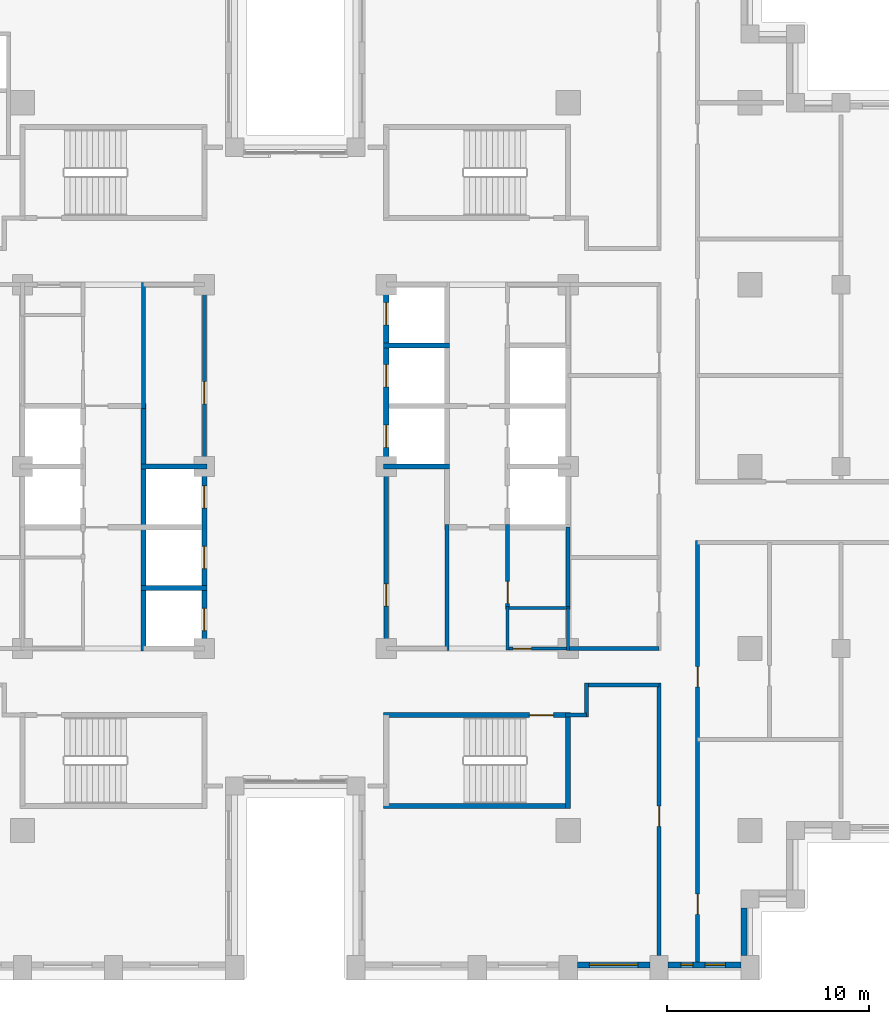
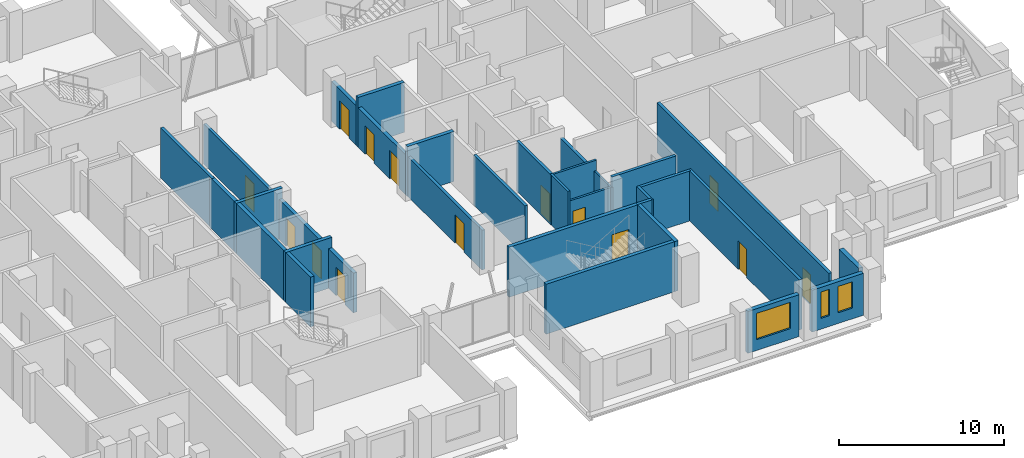
# One storey, part 8 of 16: 29 walls, 14 doors, 3 windows, 17 openings.
"""IFC4 building model written with IfcOpenShell, lengths in metres."""

import ifcopenshell
import ifcopenshell.guid

model = None  # the IFC model being written
_history = None  # IfcOwnerHistory: only IFC2X3 demands one
_inside = {}  # id of a spatial element -> (the spatial element, [elements in it])
_under = {}  # id of a project, library or spatial element -> (it, [spatial elements below it])
_declared = {}  # id of a project -> (the project, [libraries it declares])
_typed = {}  # id of a type object -> (the type object, [elements of that type])
_made_of = {}  # id of a material, layer set ... -> (it, [elements and type objects made of it])


def new_model(schema):
    """Start an empty IFC model of exactly this schema.

    Asked for "IFC4X3", IfcOpenShell would pick the latest addendum, in which some entities
    have other attributes; the version numbers below select the first issue.
    IFC2X3 requires an IfcOwnerHistory on every rooted entity: one is made here for all.
    """
    global model, _history
    if schema == "IFC4X3":
        model = ifcopenshell.file(schema_version=(4, 3, 0, 0))
    else:
        model = ifcopenshell.file(schema=schema)
    _inside.clear()
    _under.clear()
    _declared.clear()
    _typed.clear()
    _made_of.clear()
    _history = None
    if model.schema == "IFC2X3":
        org = make("IfcOrganization", Name="unknown")
        user = make(
            "IfcPersonAndOrganization",
            ThePerson=make("IfcPerson", FamilyName="unknown"),
            TheOrganization=org,
        )
        app = make(
            "IfcApplication",
            ApplicationDeveloper=org,
            Version="unknown",
            ApplicationFullName="unknown",
            ApplicationIdentifier="unknown",
        )
        _history = make(
            "IfcOwnerHistory",
            OwningUser=user,
            OwningApplication=app,
            ChangeAction="ADDED",
            CreationDate=0,
        )
    return model


def make(cls, **values):
    """One entity of the class cls with the attributes given. An attribute that is None is left unset."""
    return model.create_entity(
        cls, **{name: value for name, value in values.items() if value is not None}
    )


def rooted(cls, **values):
    """An entity with a GlobalId (a new one), such as an element, a storey or a relation."""
    return make(cls, GlobalId=ifcopenshell.guid.new(), OwnerHistory=_history, **values)


def si_unit(unit_type, name, prefix=None):
    """IfcSIUnit, for example si_unit("LENGTHUNIT", "METRE", prefix="MILLI")."""
    return make("IfcSIUnit", UnitType=unit_type, Prefix=prefix, Name=name)


def assignment(units):
    """IfcUnitAssignment: the units of a project."""
    return None if units is None else make("IfcUnitAssignment", Units=units)


def point(xyz):
    """IfcCartesianPoint."""
    return None if xyz is None else make("IfcCartesianPoint", Coordinates=xyz)


def direction(xyz):
    """IfcDirection."""
    return None if xyz is None else make("IfcDirection", DirectionRatios=xyz)


def frame(location, z_axis=None, x_axis=None):
    """IfcAxis2Placement3D, a coordinate frame: its origin and axes. An axis left out is left unset."""
    return make(
        "IfcAxis2Placement3D",
        Location=point(location),
        Axis=direction(z_axis),
        RefDirection=direction(x_axis),
    )


def frame_2d(location, x_axis=None):
    """IfcAxis2Placement2D, a coordinate frame in the plane: its origin and x axis."""
    return make(
        "IfcAxis2Placement2D", Location=point(location), RefDirection=direction(x_axis)
    )


def origin():
    """The frame at (0, 0, 0) with its axes left unset."""
    return frame((0.0, 0.0, 0.0))


def place(relative_to, where):
    """IfcLocalPlacement: puts the frame where relative to a parent placement (None: the world)."""
    return make(
        "IfcLocalPlacement", PlacementRelTo=relative_to, RelativePlacement=where
    )


def context(
    kind, dimensions, precision=None, world=None, true_north=None, identifier=None
):
    """IfcGeometricRepresentationContext, for example the 3D "Model" context."""
    return make(
        "IfcGeometricRepresentationContext",
        ContextIdentifier=identifier,
        ContextType=kind,
        CoordinateSpaceDimension=dimensions,
        Precision=precision,
        WorldCoordinateSystem=world,
        TrueNorth=true_north,
    )


def subcontext(parent, identifier, kind, view, scale=None):
    """IfcGeometricRepresentationSubContext, for example "Body" below "Model"."""
    return make(
        "IfcGeometricRepresentationSubContext",
        ContextIdentifier=identifier,
        ContextType=kind,
        ParentContext=parent,
        TargetScale=scale,
        TargetView=view,
    )


def project(units=None, contexts=None):
    """IfcProject with its units and contexts."""
    return rooted(
        "IfcProject",
        Name="project",
        RepresentationContexts=contexts,
        UnitsInContext=assignment(units),
    )


def spatial(cls, under=None, at=None, **own):
    """A site, building, storey or space (cls), placed at a placement, below another one or the project."""
    s = rooted(cls, ObjectPlacement=at, **own)
    if under is not None:
        _under.setdefault(under.id(), (under, []))[1].append(s)
    return s


def profile(cls, at=None, kind="AREA", **sizes):
    """A parametric profile (cls). Its sizes go by their IFC names, for example OverallWidth=200.0."""
    return make(cls, ProfileType=kind, Position=at, **sizes)


def rectangle(**sizes):
    """IfcRectangleProfileDef."""
    return profile("IfcRectangleProfileDef", **sizes)


def extrude(swept, where, along, depth):
    """IfcExtrudedAreaSolid: the profile swept, set in the frame where, extruded along a direction by depth."""
    return make(
        "IfcExtrudedAreaSolid",
        SweptArea=swept,
        Position=where,
        ExtrudedDirection=direction(along),
        Depth=depth,
    )


def shape(context_of_items, identifier, shape_type, items):
    """IfcShapeRepresentation: the items that make up one representation, for example the "Body"."""
    return make(
        "IfcShapeRepresentation",
        ContextOfItems=context_of_items,
        RepresentationIdentifier=identifier,
        RepresentationType=shape_type,
        Items=items,
    )


def material(Name=None, Category=None):
    """IfcMaterial."""
    return make("IfcMaterial", Name=Name, Category=Category)


def layer(
    of_material, thickness, ventilated=None, Name=None, Category=None, Priority=None
):
    """IfcMaterialLayer: one layer of a wall or slab, of a material (None: an air gap)."""
    return make(
        "IfcMaterialLayer",
        Material=of_material,
        LayerThickness=thickness,
        IsVentilated=ventilated,
        Name=Name,
        Category=Category,
        Priority=Priority,
    )


def layer_set(layers, Name=None):
    """IfcMaterialLayerSet."""
    return make("IfcMaterialLayerSet", MaterialLayers=layers, LayerSetName=Name)


def made_of(thing, what):
    """Note that an element or type object is made of a material, layer set ...; save() writes the relation."""
    if what is not None:
        _made_of.setdefault(what.id(), (what, []))[1].append(thing)
    return thing


def type_object(cls, material=None, **own):
    """A type object (cls), such as IfcWallType, which elements share."""
    return made_of(rooted(cls, **own), material)


def element(
    cls,
    number,
    at=None,
    inside=None,
    cuts=None,
    type_object=None,
    material=None,
    context=None,
    identifier="Body",
    shape_type=None,
    held_by="IfcProductDefinitionShape",
    body=None,
    shapes=None,
    **own,
):
    """One element of the class cls, such as IfcWall. Its Tag is "e" and its number.

    at: its placement. inside: the storey or other place that contains it. cuts: it is an
    opening in that element (IfcRelVoidsElement). A single representation is given by context,
    identifier, shape_type and body (its items); several are given by shapes. held_by: the class
    of the entity that holds the representations. save() writes the other relations.
    """
    e = rooted(cls, Tag="e%d" % number, ObjectPlacement=at, **own)
    if body is not None:
        shapes = [shape(context, identifier, shape_type, body)]
    if shapes is not None:
        e.Representation = make(held_by, Representations=shapes)
    if inside is not None:
        _inside.setdefault(inside.id(), (inside, []))[1].append(e)
    if cuts is not None:
        rooted(
            "IfcRelVoidsElement", RelatingBuildingElement=cuts, RelatedOpeningElement=e
        )
    if type_object is not None:
        _typed.setdefault(type_object.id(), (type_object, []))[1].append(e)
    return made_of(e, material)


def fill(opening, filler):
    """IfcRelFillsElement: the door or window that sits in an opening."""
    return rooted(
        "IfcRelFillsElement",
        RelatingOpeningElement=opening,
        RelatedBuildingElement=filler,
    )


def aggregate(whole, parts):
    """IfcRelAggregates: a whole, such as a stair, and the parts it consists of."""
    return rooted("IfcRelAggregates", RelatingObject=whole, RelatedObjects=parts)


def save(model, path):
    """Write the relations noted so far, then the file.

    IfcRelAggregates (storeys below a building ...), IfcRelContainedInSpatialStructure (elements
    in a storey), IfcRelDefinesByType, IfcRelAssociatesMaterial and IfcRelDeclares: one each for
    every whole, place, type object, material and project.
    """
    for whole, parts in _under.values():
        aggregate(whole, parts)
    for where, things in _inside.values():
        rooted(
            "IfcRelContainedInSpatialStructure",
            RelatedElements=things,
            RelatingStructure=where,
        )
    for kind, things in _typed.values():
        rooted("IfcRelDefinesByType", RelatedObjects=things, RelatingType=kind)
    for what, things in _made_of.values():
        rooted("IfcRelAssociatesMaterial", RelatedObjects=things, RelatingMaterial=what)
    for by, libraries in _declared.values():
        rooted("IfcRelDeclares", RelatingContext=by, RelatedDefinitions=libraries)
    model.write(path)


model = new_model("IFC4")

# Units and contexts
model_context = context("Model", 3, precision=1e-05, world=origin(), true_north=direction((0.0, 1.0)))
body_context = subcontext(model_context, "Body", "Model", "MODEL_VIEW")
ifc_project = project(units=[si_unit("LENGTHUNIT", "METRE"), si_unit("AREAUNIT", "SQUARE_METRE"), si_unit("VOLUMEUNIT", "CUBIC_METRE"), si_unit("PLANEANGLEUNIT", "RADIAN"), si_unit("MASSUNIT", "GRAM", prefix="KILO")], contexts=[model_context])

# Site, building, storey
site_placement = place(None, origin())
site = spatial("IfcSite", under=ifc_project, at=site_placement, CompositionType="ELEMENT")
building_placement = place(site_placement, origin())
building = spatial("IfcBuilding", under=site, at=building_placement, Name="Corbelhall Arena Tower", CompositionType="ELEMENT")
storey_placement = place(building_placement, frame((0.0, 0.0, 112.0)))
storey = spatial("IfcBuildingStorey", under=building, at=storey_placement, Name="L20", CompositionType="ELEMENT", Elevation=112.0)

# Wall, opening, window
ifc_material_1 = material(Name="Precast concrete C40/50 with granite facing", Category="masonry")
ifc_layer_1 = layer(ifc_material_1, 0.300048828125)
ifc_layer_set_1 = layer_set([ifc_layer_1], Name="EV-IW1 Infill panel 300")
wall_type_1 = type_object("IfcWallType", Name="EV-IW1 Infill panel 300", PredefinedType="SOLIDWALL", material=ifc_layer_set_1)
wall_1_placement = place(storey_placement, frame((13.949951171875, -24.64990234375, 0.0), z_axis=(0.0, 0.0, 1.0), x_axis=(1.0, 0.0, 0.0)))
wall_1 = element("IfcWall", 1, at=wall_1_placement, inside=storey, type_object=wall_type_1, Name="Infill panel IW1", PredefinedType="SOLIDWALL", context=body_context, shape_type="SweptSolid", body=[
    extrude(rectangle(XDim=3.60009765625, YDim=0.300048828125, at=frame_2d((1.800048828125, 0.0))), origin(), (0.0, 0.0, 1.0), 3.10009765625),
])
opening_1_placement = place(wall_1_placement, frame((0.60009765625, 0.0, 0.800048828125)))
opening_1 = element("IfcOpeningElement", 2, at=opening_1_placement, cuts=wall_1, Name="Opening WN1", PredefinedType="OPENING", context=body_context, shape_type="SweptSolid", body=[
    extrude(rectangle(XDim=2.39990234375, YDim=1.949951171875, at=frame_2d((1.199951171875, 0.97509765625))), frame((0.0, 0.14990234375, 0.0), z_axis=(0.0, -1.0, 0.0), x_axis=(1.0, 0.0, 0.0)), (0.0, 0.0, 1.0), 0.300048828125),
])
ifc_material_2 = material(Name="Aluminium black anodised", Category="aluminium")
window_type_1 = type_object("IfcWindowType", Name="EV-WN1 Office window", PartitioningType="SINGLE_PANEL", PredefinedType="WINDOW", material=ifc_material_2)
window_1_placement = place(opening_1_placement, origin())
window_1 = element("IfcWindow", 3, at=window_1_placement, inside=storey, type_object=window_type_1, Name="Window WN1", OverallHeight=1.949951171875, OverallWidth=2.39990234375, PartitioningType="SINGLE_PANEL", PredefinedType="WINDOW", context=body_context, shape_type="SweptSolid", body=[
    extrude(rectangle(XDim=2.39990234375, YDim=1.949951171875, at=frame_2d((1.199951171875, 0.97509765625))), frame((0.0, 0.030029296875, 0.0), z_axis=(0.0, -1.0, 0.0), x_axis=(1.0, 0.0, 0.0)), (0.0, 0.0, 1.0), 0.06005859375),
])
fill(opening_1, window_1)

# Wall, openings, windows
wall_2_placement = place(storey_placement, frame((18.449951171875, -24.64990234375, 0.0), z_axis=(0.0, 0.0, 1.0), x_axis=(1.0, 0.0, 0.0)))
wall_2 = element("IfcWall", 4, at=wall_2_placement, inside=storey, type_object=wall_type_1, Name="Infill panel IW1", PredefinedType="SOLIDWALL", context=body_context, shape_type="SweptSolid", body=[
    extrude(rectangle(XDim=3.60009765625, YDim=0.300048828125, at=frame_2d((1.800048828125, 0.0))), origin(), (0.0, 0.0, 1.0), 3.10009765625),
])
opening_2_placement = place(wall_2_placement, frame((0.625, 0.0, 0.800048828125)))
opening_2 = element("IfcOpeningElement", 5, at=opening_2_placement, cuts=wall_2, Name="Opening WN5", PredefinedType="OPENING", context=body_context, shape_type="SweptSolid", body=[
    extrude(rectangle(XDim=0.60009765625, YDim=1.949951171875, at=frame_2d((0.300048828125, 0.97509765625))), frame((0.0, 0.14990234375, 0.0), z_axis=(0.0, -1.0, 0.0), x_axis=(1.0, 0.0, 0.0)), (0.0, 0.0, 1.0), 0.300048828125),
])
opening_3_placement = place(wall_2_placement, frame((1.824951171875, 0.0, 0.800048828125)))
opening_3 = element("IfcOpeningElement", 6, at=opening_3_placement, cuts=wall_2, Name="Opening WN6", PredefinedType="OPENING", context=body_context, shape_type="SweptSolid", body=[
    extrude(rectangle(XDim=1.0, YDim=1.949951171875, at=frame_2d((0.5, 0.97509765625))), frame((0.0, 0.14990234375, 0.0), z_axis=(0.0, -1.0, 0.0), x_axis=(1.0, 0.0, 0.0)), (0.0, 0.0, 1.0), 0.300048828125),
])
window_type_2 = type_object("IfcWindowType", Name="EV-WN5 Office window 600", PartitioningType="SINGLE_PANEL", PredefinedType="WINDOW", material=ifc_material_2)
window_2_placement = place(opening_2_placement, origin())
window_2 = element("IfcWindow", 7, at=window_2_placement, inside=storey, type_object=window_type_2, Name="Window WN5", OverallHeight=1.949951171875, OverallWidth=0.60009765625, PartitioningType="SINGLE_PANEL", PredefinedType="WINDOW", context=body_context, shape_type="SweptSolid", body=[
    extrude(rectangle(XDim=0.60009765625, YDim=1.949951171875, at=frame_2d((0.300048828125, 0.97509765625))), frame((0.0, 0.030029296875, 0.0), z_axis=(0.0, -1.0, 0.0), x_axis=(1.0, 0.0, 0.0)), (0.0, 0.0, 1.0), 0.06005859375),
])
fill(opening_2, window_2)
window_type_3 = type_object("IfcWindowType", Name="EV-WN6 Office window 1000", PartitioningType="SINGLE_PANEL", PredefinedType="WINDOW", material=ifc_material_2)
window_3_placement = place(opening_3_placement, origin())
window_3 = element("IfcWindow", 8, at=window_3_placement, inside=storey, type_object=window_type_3, Name="Window WN6", OverallHeight=1.949951171875, OverallWidth=1.0, PartitioningType="SINGLE_PANEL", PredefinedType="WINDOW", context=body_context, shape_type="SweptSolid", body=[
    extrude(rectangle(XDim=1.0, YDim=1.949951171875, at=frame_2d((0.5, 0.97509765625))), frame((0.0, 0.030029296875, 0.0), z_axis=(0.0, -1.0, 0.0), x_axis=(1.0, 0.0, 0.0)), (0.0, 0.0, 1.0), 0.06005859375),
])
fill(opening_3, window_3)

# Walls
wall_3_placement = place(storey_placement, frame((22.199951171875, -24.199951171875, 0.0), z_axis=(0.0, 0.0, 1.0), x_axis=(0.0, 1.0, 0.0)))
element("IfcWall", 9, at=wall_3_placement, inside=storey, type_object=wall_type_1, Name="Infill panel IW1", PredefinedType="SOLIDWALL", context=body_context, shape_type="SweptSolid", body=[
    extrude(rectangle(XDim=2.349853515625, YDim=0.300048828125, at=frame_2d((1.1748046875, 0.0))), origin(), (0.0, 0.0, 1.0), 3.10009765625),
])
ifc_material_3 = material(Name="Gypsum board on steel stud, acoustic", Category="steel")
ifc_layer_2 = layer(ifc_material_3, 0.199951171875)
ifc_layer_set_2 = layer_set([ifc_layer_2], Name="IN-W-DM200")
wall_type_2 = type_object("IfcWallType", Name="IN-W-DM200", PredefinedType="PARTITIONING", material=ifc_layer_set_2)
wall_4_placement = place(storey_placement, frame((13.5, -9.0, 0.0), z_axis=(0.0, 0.0, 1.0), x_axis=(1.0, 0.0, 0.0)))
element("IfcWall", 10, at=wall_4_placement, inside=storey, type_object=wall_type_2, Name="Partition 037", PredefinedType="PARTITIONING", context=body_context, shape_type="SweptSolid", body=[
    extrude(rectangle(XDim=4.5, YDim=0.199951171875, at=frame_2d((2.25, 0.0))), origin(), (0.0, 0.0, 1.0), 3.699951171875),
])
wall_5_placement = place(storey_placement, frame((14.39990234375, -12.300048828125, 0.0), z_axis=(0.0, 0.0, 1.0), x_axis=(-1.0, 0.0, 0.0)))
element("IfcWall", 11, at=wall_5_placement, inside=storey, type_object=wall_type_2, Name="Partition 040", PredefinedType="PARTITIONING", context=body_context, shape_type="SweptSolid", body=[
    extrude(rectangle(XDim=1.02490234375, YDim=0.199951171875, at=frame_2d((0.512451171875, 0.0))), origin(), (0.0, 0.0, 1.0), 3.699951171875),
])
wall_6_placement = place(storey_placement, frame((14.39990234375, -10.699951171875, 0.0), z_axis=(0.0, 0.0, 1.0), x_axis=(0.0, -1.0, 0.0)))
element("IfcWall", 12, at=wall_6_placement, inside=storey, type_object=wall_type_2, Name="Partition 041", PredefinedType="PARTITIONING", context=body_context, shape_type="SweptSolid", body=[
    extrude(rectangle(XDim=1.699951171875, YDim=0.199951171875, at=frame_2d((0.85009765625, 0.0))), origin(), (0.0, 0.0, 1.0), 3.699951171875),
])

# Wall, opening, door
wall_7_placement = place(storey_placement, frame((18.0, -24.199951171875, 0.0), z_axis=(0.0, 0.0, 1.0), x_axis=(0.0, 1.0, 0.0)))
wall_7 = element("IfcWall", 13, at=wall_7_placement, inside=storey, type_object=wall_type_2, Name="Partition 045", PredefinedType="PARTITIONING", context=body_context, shape_type="SweptSolid", body=[
    extrude(rectangle(XDim=13.5, YDim=0.199951171875, at=frame_2d((6.75, 0.0))), origin(), (0.0, 0.0, 1.0), 3.699951171875),
])
opening_4_placement = place(wall_7_placement, frame((6.39990234375, 0.0, 0.0)))
opening_4 = element("IfcOpeningElement", 14, at=opening_4_placement, cuts=wall_7, Name="Opening 05030", PredefinedType="OPENING", context=body_context, shape_type="SweptSolid", body=[
    extrude(rectangle(XDim=1.0, YDim=2.10009765625, at=frame_2d((0.5, 1.050048828125))), frame((0.0, 0.10009765625, 0.0), z_axis=(0.0, -1.0, 0.0), x_axis=(1.0, 0.0, 0.0)), (0.0, 0.0, 1.0), 0.199951171875),
])
ifc_material_4 = material(Name="Steel door set", Category="steel")
door_type_1 = type_object("IfcDoorType", Name="IN-D-SW100", OperationType="NOTDEFINED", PredefinedType="DOOR", material=ifc_material_4)
door_1_placement = place(opening_4_placement, origin())
door_1 = element("IfcDoor", 15, at=door_1_placement, inside=storey, type_object=door_type_1, Name="Door 030", OperationType="SINGLE_SWING_LEFT", OverallHeight=2.10009765625, OverallWidth=1.0, PredefinedType="DOOR", context=body_context, shape_type="SweptSolid", body=[
    extrude(rectangle(XDim=1.0, YDim=2.10009765625, at=frame_2d((0.5, 1.050048828125))), frame((0.0, 0.02490234375, 0.0), z_axis=(0.0, -1.0, 0.0), x_axis=(1.0, 0.0, 0.0)), (0.0, 0.0, 1.0), 0.050048828125),
])
fill(opening_4, door_1)

# Wall
wall_8_placement = place(storey_placement, frame((18.0, -10.800048828125, 0.0), z_axis=(0.0, 0.0, 1.0), x_axis=(-1.0, 0.0, 0.0)))
element("IfcWall", 16, at=wall_8_placement, inside=storey, type_object=wall_type_2, Name="Partition 046", PredefinedType="PARTITIONING", context=body_context, shape_type="SweptSolid", body=[
    extrude(rectangle(XDim=3.60009765625, YDim=0.199951171875, at=frame_2d((1.800048828125, 0.0))), origin(), (0.0, 0.0, 1.0), 3.699951171875),
])

# Wall, openings, doors
wall_9_placement = place(storey_placement, frame((19.89990234375, -3.64990234375, 0.0), z_axis=(0.0, 0.0, 1.0), x_axis=(0.0, -1.0, 0.0)))
wall_9 = element("IfcWall", 17, at=wall_9_placement, inside=storey, type_object=wall_type_2, Name="Partition 050", PredefinedType="PARTITIONING", context=body_context, shape_type="SweptSolid", body=[
    extrude(rectangle(XDim=20.85009765625, YDim=0.199951171875, at=frame_2d((10.425048828125, 0.0))), origin(), (0.0, 0.0, 1.0), 3.699951171875),
])
opening_5_placement = place(wall_9_placement, frame((17.5, 0.0, 0.0)))
opening_5 = element("IfcOpeningElement", 18, at=opening_5_placement, cuts=wall_9, Name="Opening 05042", PredefinedType="OPENING", context=body_context, shape_type="SweptSolid", body=[
    extrude(rectangle(XDim=1.0, YDim=2.10009765625, at=frame_2d((0.5, 1.050048828125))), frame((0.0, 0.10009765625, 0.0), z_axis=(0.0, -1.0, 0.0), x_axis=(1.0, 0.0, 0.0)), (0.0, 0.0, 1.0), 0.199951171875),
])
opening_6_placement = place(wall_9_placement, frame((6.25, 0.0, 0.0)))
opening_6 = element("IfcOpeningElement", 19, at=opening_6_placement, cuts=wall_9, Name="Opening 05043", PredefinedType="OPENING", context=body_context, shape_type="SweptSolid", body=[
    extrude(rectangle(XDim=1.0, YDim=2.10009765625, at=frame_2d((0.5, 1.050048828125))), frame((0.0, 0.10009765625, 0.0), z_axis=(0.0, -1.0, 0.0), x_axis=(1.0, 0.0, 0.0)), (0.0, 0.0, 1.0), 0.199951171875),
])
door_2_placement = place(opening_5_placement, origin())
door_2 = element("IfcDoor", 20, at=door_2_placement, inside=storey, type_object=door_type_1, Name="Door 042", OperationType="SINGLE_SWING_LEFT", OverallHeight=2.10009765625, OverallWidth=1.0, PredefinedType="DOOR", context=body_context, shape_type="SweptSolid", body=[
    extrude(rectangle(XDim=1.0, YDim=2.10009765625, at=frame_2d((0.5, 1.050048828125))), frame((0.0, 0.02490234375, 0.0), z_axis=(0.0, -1.0, 0.0), x_axis=(1.0, 0.0, 0.0)), (0.0, 0.0, 1.0), 0.050048828125),
])
fill(opening_5, door_2)
door_3_placement = place(opening_6_placement, origin())
door_3 = element("IfcDoor", 21, at=door_3_placement, inside=storey, type_object=door_type_1, Name="Door 043", OperationType="SINGLE_SWING_RIGHT", OverallHeight=2.10009765625, OverallWidth=1.0, PredefinedType="DOOR", context=body_context, shape_type="SweptSolid", body=[
    extrude(rectangle(XDim=1.0, YDim=2.10009765625, at=frame_2d((0.5, 1.050048828125))), frame((0.0, 0.02490234375, 0.0), z_axis=(0.0, -1.0, 0.0), x_axis=(1.0, 0.0, 0.0)), (0.0, 0.0, 1.0), 0.050048828125),
])
fill(opening_6, door_3)

# Walls
ifc_material_5 = material(Name="Concrete block wall", Category="concrete")
ifc_layer_3 = layer(ifc_material_5, 0.199951171875)
ifc_layer_set_3 = layer_set([ifc_layer_3], Name="IN-W-RS200")
wall_type_3 = type_object("IfcWallType", Name="IN-W-RS200", PredefinedType="SOLIDWALL", material=ifc_layer_set_3)
for number, where, z_axis, x_axis, name in (
    (22, (-7.5, 2.875, 0.0), (0.0, 0.0, 1.0), (0.0, 1.0, 0.0), "Partition 069"),
    (23, (7.5, -2.875, 0.0), (0.0, 0.0, 1.0), (0.0, -1.0, 0.0), "Partition 074"),
):
    element("IfcWall", number, at=place(storey_placement, frame(where, z_axis=z_axis, x_axis=x_axis)), inside=storey, type_object=wall_type_3, Name=name, PredefinedType="SOLIDWALL", context=body_context, shape_type="SweptSolid", body=[
        extrude(rectangle(XDim=6.22509765625, YDim=0.199951171875, at=frame_2d((3.112548828125, 0.0))), origin(), (0.0, 0.0, 1.0), 3.699951171875),
    ])

# Wall, opening, door
wall_10_placement = place(storey_placement, frame((10.5, -2.875, 0.0), z_axis=(0.0, 0.0, 1.0), x_axis=(0.0, -1.0, 0.0)))
wall_10 = element("IfcWall", 24, at=wall_10_placement, inside=storey, type_object=wall_type_3, Name="Partition 075", PredefinedType="SOLIDWALL", context=body_context, shape_type="SweptSolid", body=[
    extrude(rectangle(XDim=4.199951171875, YDim=0.199951171875, at=frame_2d((2.10009765625, 0.0))), origin(), (0.0, 0.0, 1.0), 3.699951171875),
])
opening_7_placement = place(wall_10_placement, frame((2.800048828125, 0.0, 0.0)))
opening_7 = element("IfcOpeningElement", 25, at=opening_7_placement, cuts=wall_10, Name="Opening 05012", PredefinedType="OPENING", context=body_context, shape_type="SweptSolid", body=[
    extrude(rectangle(XDim=1.10009765625, YDim=2.10009765625, at=frame_2d((0.550048828125, 1.050048828125))), frame((0.0, 0.10009765625, 0.0), z_axis=(0.0, -1.0, 0.0), x_axis=(1.0, 0.0, 0.0)), (0.0, 0.0, 1.0), 0.199951171875),
])
door_type_2 = type_object("IfcDoorType", Name="IN-D-FD110", OperationType="NOTDEFINED", PredefinedType="DOOR", material=ifc_material_4)
door_4_placement = place(opening_7_placement, origin())
door_4 = element("IfcDoor", 26, at=door_4_placement, inside=storey, type_object=door_type_2, Name="Door 012", OperationType="SINGLE_SWING_LEFT", OverallHeight=2.10009765625, OverallWidth=1.10009765625, PredefinedType="DOOR", context=body_context, shape_type="SweptSolid", body=[
    extrude(rectangle(XDim=1.10009765625, YDim=2.10009765625, at=frame_2d((0.550048828125, 1.050048828125))), frame((0.0, 0.02490234375, 0.0), z_axis=(0.0, -1.0, 0.0), x_axis=(1.0, 0.0, 0.0)), (0.0, 0.0, 1.0), 0.050048828125),
])
fill(opening_7, door_4)

ifc_layer_4 = layer(ifc_material_5, 0.199951171875)
ifc_layer_set_4 = layer_set([ifc_layer_4], Name="IN-W-RS200 under beam 762 mm")
wall_type_4 = type_object("IfcWallType", Name="IN-W-RS200 under beam 762 mm", PredefinedType="SOLIDWALL", material=ifc_layer_set_4)
wall_11_placement = place(storey_placement, frame((-4.5, 9.10009765625, 0.0), z_axis=(0.0, 0.0, 1.0), x_axis=(0.0, -1.0, 0.0)))
wall_11 = element("IfcWall", 27, at=wall_11_placement, inside=storey, type_object=wall_type_4, Name="Partition 071", PredefinedType="SOLIDWALL", context=body_context, shape_type="SweptSolid", body=[
    extrude(rectangle(XDim=9.10009765625, YDim=0.199951171875, at=frame_2d((4.550048828125, 0.0))), origin(), (0.0, 0.0, 1.0), 2.93798828125),
])
opening_8_placement = place(wall_11_placement, frame((4.89990234375, 0.0, 0.0)))
opening_8 = element("IfcOpeningElement", 28, at=opening_8_placement, cuts=wall_11, Name="Opening 05001", PredefinedType="OPENING", context=body_context, shape_type="SweptSolid", body=[
    extrude(rectangle(XDim=1.10009765625, YDim=2.10009765625, at=frame_2d((0.550048828125, 1.050048828125))), frame((0.0, 0.10009765625, 0.0), z_axis=(0.0, -1.0, 0.0), x_axis=(1.0, 0.0, 0.0)), (0.0, 0.0, 1.0), 0.199951171875),
])
door_5_placement = place(opening_8_placement, origin())
door_5 = element("IfcDoor", 29, at=door_5_placement, inside=storey, type_object=door_type_2, Name="Door 001", OperationType="SINGLE_SWING_RIGHT", OverallHeight=2.10009765625, OverallWidth=1.10009765625, PredefinedType="DOOR", context=body_context, shape_type="SweptSolid", body=[
    extrude(rectangle(XDim=1.10009765625, YDim=2.10009765625, at=frame_2d((0.550048828125, 1.050048828125))), frame((0.0, 0.02490234375, 0.0), z_axis=(0.0, -1.0, 0.0), x_axis=(1.0, 0.0, 0.0)), (0.0, 0.0, 1.0), 0.050048828125),
])
fill(opening_8, door_5)

wall_12_placement = place(storey_placement, frame((4.5, -9.10009765625, 0.0), z_axis=(0.0, 0.0, 1.0), x_axis=(0.0, 1.0, 0.0)))
wall_12 = element("IfcWall", 30, at=wall_12_placement, inside=storey, type_object=wall_type_4, Name="Partition 072", PredefinedType="SOLIDWALL", context=body_context, shape_type="SweptSolid", body=[
    extrude(rectangle(XDim=9.10009765625, YDim=0.199951171875, at=frame_2d((4.550048828125, 0.0))), origin(), (0.0, 0.0, 1.0), 2.93798828125),
])
opening_9_placement = place(wall_12_placement, frame((2.199951171875, 0.0, 0.0)))
opening_9 = element("IfcOpeningElement", 31, at=opening_9_placement, cuts=wall_12, Name="Opening 05008", PredefinedType="OPENING", context=body_context, shape_type="SweptSolid", body=[
    extrude(rectangle(XDim=1.10009765625, YDim=2.10009765625, at=frame_2d((0.550048828125, 1.050048828125))), frame((0.0, 0.10009765625, 0.0), z_axis=(0.0, -1.0, 0.0), x_axis=(1.0, 0.0, 0.0)), (0.0, 0.0, 1.0), 0.199951171875),
])
door_6_placement = place(opening_9_placement, origin())
door_6 = element("IfcDoor", 32, at=door_6_placement, inside=storey, type_object=door_type_2, Name="Door 008", OperationType="SINGLE_SWING_LEFT", OverallHeight=2.10009765625, OverallWidth=1.10009765625, PredefinedType="DOOR", context=body_context, shape_type="SweptSolid", body=[
    extrude(rectangle(XDim=1.10009765625, YDim=2.10009765625, at=frame_2d((0.550048828125, 1.050048828125))), frame((0.0, 0.02490234375, 0.0), z_axis=(0.0, -1.0, 0.0), x_axis=(1.0, 0.0, 0.0)), (0.0, 0.0, 1.0), 0.050048828125),
])
fill(opening_9, door_6)

# Walls
wall_13_placement = place(storey_placement, frame((13.5, -3.0, 0.0), z_axis=(0.0, 0.0, 1.0), x_axis=(0.0, -1.0, 0.0)))
element("IfcWall", 33, at=wall_13_placement, inside=storey, type_object=wall_type_4, Name="Partition 078", PredefinedType="SOLIDWALL", context=body_context, shape_type="SweptSolid", body=[
    extrude(rectangle(XDim=4.0, YDim=0.199951171875, at=frame_2d((2.0, 0.0))), origin(), (0.0, 0.0, 1.0), 2.93798828125),
])
ifc_material_6 = material(Name="Concrete C40/50", Category="concrete")
ifc_layer_5 = layer(ifc_material_6, 0.25)
ifc_layer_set_5 = layer_set([ifc_layer_5], Name="IN-W-SH250")
wall_type_5 = type_object("IfcWallType", Name="IN-W-SH250", PredefinedType="SOLIDWALL", material=ifc_layer_set_5)
for number, where, z_axis, x_axis, name in (
    (34, (-7.625, -6.0, 0.0), (0.0, 0.0, 1.0), (1.0, 0.0, 0.0), "Shaft wall 085"),
    (35, (-7.625, 0.0, 0.0), (0.0, 0.0, 1.0), (1.0, 0.0, 0.0), "Shaft wall 086"),
):
    element("IfcWall", number, at=place(storey_placement, frame(where, z_axis=z_axis, x_axis=x_axis)), inside=storey, type_object=wall_type_5, Name=name, PredefinedType="SOLIDWALL", context=body_context, shape_type="SweptSolid", body=[
        extrude(rectangle(XDim=3.25, YDim=0.25, at=frame_2d((1.625, 0.0))), origin(), (0.0, 0.0, 1.0), 3.699951171875),
    ])
wall_14_placement = place(storey_placement, frame((-7.5, -9.125, 0.0), z_axis=(0.0, 0.0, 1.0), x_axis=(0.0, 1.0, 0.0)))
element("IfcWall", 36, at=wall_14_placement, inside=storey, type_object=wall_type_5, Name="Shaft wall 087", PredefinedType="SOLIDWALL", context=body_context, shape_type="SweptSolid", body=[
    extrude(rectangle(XDim=12.25, YDim=0.25, at=frame_2d((6.125, 0.0))), origin(), (0.0, 0.0, 1.0), 3.699951171875),
])
for number, where, z_axis, x_axis, name in (
    (37, (4.375, 0.0, 0.0), (0.0, 0.0, 1.0), (1.0, 0.0, 0.0), "Shaft wall 090"),
    (38, (4.375, 6.0, 0.0), (0.0, 0.0, 1.0), (1.0, 0.0, 0.0), "Shaft wall 092"),
):
    element("IfcWall", number, at=place(storey_placement, frame(where, z_axis=z_axis, x_axis=x_axis)), inside=storey, type_object=wall_type_5, Name=name, PredefinedType="SOLIDWALL", context=body_context, shape_type="SweptSolid", body=[
        extrude(rectangle(XDim=3.25, YDim=0.25, at=frame_2d((1.625, 0.0))), origin(), (0.0, 0.0, 1.0), 3.699951171875),
    ])

# Wall, openings, doors
ifc_layer_6 = layer(ifc_material_6, 0.25)
ifc_layer_set_6 = layer_set([ifc_layer_6], Name="IN-W-SH250 under beam 762 mm")
wall_type_6 = type_object("IfcWallType", Name="IN-W-SH250 under beam 762 mm", PredefinedType="SOLIDWALL", material=ifc_layer_set_6)
wall_15_placement = place(storey_placement, frame((-4.5, 0.0, 0.0), z_axis=(0.0, 0.0, 1.0), x_axis=(0.0, -1.0, 0.0)))
wall_15 = element("IfcWall", 39, at=wall_15_placement, inside=storey, type_object=wall_type_6, Name="Shaft wall 089", PredefinedType="SOLIDWALL", context=body_context, shape_type="SweptSolid", body=[
    extrude(rectangle(XDim=9.125, YDim=0.25, at=frame_2d((4.5625, 0.0))), origin(), (0.0, 0.0, 1.0), 2.93798828125),
])
opening_10_placement = place(wall_15_placement, frame((7.012451171875, 0.0, 0.0)))
opening_10 = element("IfcOpeningElement", 40, at=opening_10_placement, cuts=wall_15, Name="Opening LD", PredefinedType="OPENING", context=body_context, shape_type="SweptSolid", body=[
    extrude(rectangle(XDim=1.10009765625, YDim=2.10009765625, at=frame_2d((0.550048828125, 1.050048828125))), frame((0.0, 0.125, 0.0), z_axis=(0.0, -1.0, 0.0), x_axis=(1.0, 0.0, 0.0)), (0.0, 0.0, 1.0), 0.25),
])
opening_11_placement = place(wall_15_placement, frame((3.949951171875, 0.0, 0.0)))
opening_11 = element("IfcOpeningElement", 41, at=opening_11_placement, cuts=wall_15, Name="Opening LD", PredefinedType="OPENING", context=body_context, shape_type="SweptSolid", body=[
    extrude(rectangle(XDim=1.10009765625, YDim=2.10009765625, at=frame_2d((0.550048828125, 1.050048828125))), frame((0.0, 0.125, 0.0), z_axis=(0.0, -1.0, 0.0), x_axis=(1.0, 0.0, 0.0)), (0.0, 0.0, 1.0), 0.25),
])
opening_12_placement = place(wall_15_placement, frame((0.949951171875, 0.0, 0.0)))
opening_12 = element("IfcOpeningElement", 42, at=opening_12_placement, cuts=wall_15, Name="Opening LD", PredefinedType="OPENING", context=body_context, shape_type="SweptSolid", body=[
    extrude(rectangle(XDim=1.10009765625, YDim=2.10009765625, at=frame_2d((0.550048828125, 1.050048828125))), frame((0.0, 0.125, 0.0), z_axis=(0.0, -1.0, 0.0), x_axis=(1.0, 0.0, 0.0)), (0.0, 0.0, 1.0), 0.25),
])
door_type_3 = type_object("IfcDoorType", Name="IN-D-LD110", OperationType="NOTDEFINED", PredefinedType="DOOR", material=ifc_material_4)
door_7_placement = place(opening_10_placement, origin())
door_7 = element("IfcDoor", 43, at=door_7_placement, inside=storey, type_object=door_type_3, Name="Landing door W1", OperationType="SLIDING_TO_LEFT", OverallHeight=2.10009765625, OverallWidth=1.10009765625, PredefinedType="DOOR", context=body_context, shape_type="SweptSolid", body=[
    extrude(rectangle(XDim=1.10009765625, YDim=2.10009765625, at=frame_2d((0.550048828125, 1.050048828125))), frame((0.0, 0.02490234375, 0.0), z_axis=(0.0, -1.0, 0.0), x_axis=(1.0, 0.0, 0.0)), (0.0, 0.0, 1.0), 0.050048828125),
])
fill(opening_10, door_7)
door_8_placement = place(opening_11_placement, origin())
door_8 = element("IfcDoor", 44, at=door_8_placement, inside=storey, type_object=door_type_3, Name="Landing door W2", OperationType="SLIDING_TO_LEFT", OverallHeight=2.10009765625, OverallWidth=1.10009765625, PredefinedType="DOOR", context=body_context, shape_type="SweptSolid", body=[
    extrude(rectangle(XDim=1.10009765625, YDim=2.10009765625, at=frame_2d((0.550048828125, 1.050048828125))), frame((0.0, 0.02490234375, 0.0), z_axis=(0.0, -1.0, 0.0), x_axis=(1.0, 0.0, 0.0)), (0.0, 0.0, 1.0), 0.050048828125),
])
fill(opening_11, door_8)
door_9_placement = place(opening_12_placement, origin())
door_9 = element("IfcDoor", 45, at=door_9_placement, inside=storey, type_object=door_type_3, Name="Landing door W3", OperationType="SLIDING_TO_LEFT", OverallHeight=2.10009765625, OverallWidth=1.10009765625, PredefinedType="DOOR", context=body_context, shape_type="SweptSolid", body=[
    extrude(rectangle(XDim=1.10009765625, YDim=2.10009765625, at=frame_2d((0.550048828125, 1.050048828125))), frame((0.0, 0.02490234375, 0.0), z_axis=(0.0, -1.0, 0.0), x_axis=(1.0, 0.0, 0.0)), (0.0, 0.0, 1.0), 0.050048828125),
])
fill(opening_12, door_9)

wall_16_placement = place(storey_placement, frame((4.5, 0.0, 0.0), z_axis=(0.0, 0.0, 1.0), x_axis=(0.0, 1.0, 0.0)))
wall_16 = element("IfcWall", 46, at=wall_16_placement, inside=storey, type_object=wall_type_6, Name="Shaft wall 093", PredefinedType="SOLIDWALL", context=body_context, shape_type="SweptSolid", body=[
    extrude(rectangle(XDim=9.125, YDim=0.25, at=frame_2d((4.5625, 0.0))), origin(), (0.0, 0.0, 1.0), 2.93798828125),
])
opening_13_placement = place(wall_16_placement, frame((0.949951171875, 0.0, 0.0)))
opening_13 = element("IfcOpeningElement", 47, at=opening_13_placement, cuts=wall_16, Name="Opening LD", PredefinedType="OPENING", context=body_context, shape_type="SweptSolid", body=[
    extrude(rectangle(XDim=1.10009765625, YDim=2.10009765625, at=frame_2d((0.550048828125, 1.050048828125))), frame((0.0, 0.125, 0.0), z_axis=(0.0, -1.0, 0.0), x_axis=(1.0, 0.0, 0.0)), (0.0, 0.0, 1.0), 0.25),
])
opening_14_placement = place(wall_16_placement, frame((3.949951171875, 0.0, 0.0)))
opening_14 = element("IfcOpeningElement", 48, at=opening_14_placement, cuts=wall_16, Name="Opening LD", PredefinedType="OPENING", context=body_context, shape_type="SweptSolid", body=[
    extrude(rectangle(XDim=1.10009765625, YDim=2.10009765625, at=frame_2d((0.550048828125, 1.050048828125))), frame((0.0, 0.125, 0.0), z_axis=(0.0, -1.0, 0.0), x_axis=(1.0, 0.0, 0.0)), (0.0, 0.0, 1.0), 0.25),
])
opening_15_placement = place(wall_16_placement, frame((7.012451171875, 0.0, 0.0)))
opening_15 = element("IfcOpeningElement", 49, at=opening_15_placement, cuts=wall_16, Name="Opening LD", PredefinedType="OPENING", context=body_context, shape_type="SweptSolid", body=[
    extrude(rectangle(XDim=1.10009765625, YDim=2.10009765625, at=frame_2d((0.550048828125, 1.050048828125))), frame((0.0, 0.125, 0.0), z_axis=(0.0, -1.0, 0.0), x_axis=(1.0, 0.0, 0.0)), (0.0, 0.0, 1.0), 0.25),
])
door_10_placement = place(opening_13_placement, origin())
door_10 = element("IfcDoor", 50, at=door_10_placement, inside=storey, type_object=door_type_3, Name="Landing door E4", OperationType="SLIDING_TO_LEFT", OverallHeight=2.10009765625, OverallWidth=1.10009765625, PredefinedType="DOOR", context=body_context, shape_type="SweptSolid", body=[
    extrude(rectangle(XDim=1.10009765625, YDim=2.10009765625, at=frame_2d((0.550048828125, 1.050048828125))), frame((0.0, 0.02490234375, 0.0), z_axis=(0.0, -1.0, 0.0), x_axis=(1.0, 0.0, 0.0)), (0.0, 0.0, 1.0), 0.050048828125),
])
fill(opening_13, door_10)
door_11_placement = place(opening_14_placement, origin())
door_11 = element("IfcDoor", 51, at=door_11_placement, inside=storey, type_object=door_type_3, Name="Landing door E5", OperationType="SLIDING_TO_LEFT", OverallHeight=2.10009765625, OverallWidth=1.10009765625, PredefinedType="DOOR", context=body_context, shape_type="SweptSolid", body=[
    extrude(rectangle(XDim=1.10009765625, YDim=2.10009765625, at=frame_2d((0.550048828125, 1.050048828125))), frame((0.0, 0.02490234375, 0.0), z_axis=(0.0, -1.0, 0.0), x_axis=(1.0, 0.0, 0.0)), (0.0, 0.0, 1.0), 0.050048828125),
])
fill(opening_14, door_11)
door_12_placement = place(opening_15_placement, origin())
door_12 = element("IfcDoor", 52, at=door_12_placement, inside=storey, type_object=door_type_3, Name="Landing door E6", OperationType="SLIDING_TO_LEFT", OverallHeight=2.10009765625, OverallWidth=1.10009765625, PredefinedType="DOOR", context=body_context, shape_type="SweptSolid", body=[
    extrude(rectangle(XDim=1.10009765625, YDim=2.10009765625, at=frame_2d((0.550048828125, 1.050048828125))), frame((0.0, 0.02490234375, 0.0), z_axis=(0.0, -1.0, 0.0), x_axis=(1.0, 0.0, 0.0)), (0.0, 0.0, 1.0), 0.050048828125),
])
fill(opening_15, door_12)

# Walls
ifc_layer_7 = layer(ifc_material_6, 0.25)
ifc_layer_set_7 = layer_set([ifc_layer_7], Name="IN-W-ST250")
wall_type_7 = type_object("IfcWallType", Name="IN-W-ST250", PredefinedType="SOLIDWALL", material=ifc_layer_set_7)
wall_17_placement = place(storey_placement, frame((13.5, -16.800048828125, 0.0), z_axis=(0.0, 0.0, 1.0), x_axis=(-1.0, 0.0, 0.0)))
element("IfcWall", 53, at=wall_17_placement, inside=storey, type_object=wall_type_7, Name="Shaft wall 119", PredefinedType="SOLIDWALL", context=body_context, shape_type="SweptSolid", body=[
    extrude(rectangle(XDim=9.125, YDim=0.25, at=frame_2d((4.5625, 0.0))), origin(), (0.0, 0.0, 1.0), 3.699951171875),
])
wall_18_placement = place(storey_placement, frame((13.5, -12.300048828125, 0.0), z_axis=(0.0, 0.0, 1.0), x_axis=(0.0, -1.0, 0.0)))
element("IfcWall", 54, at=wall_18_placement, inside=storey, type_object=wall_type_7, Name="Shaft wall 120", PredefinedType="SOLIDWALL", context=body_context, shape_type="SweptSolid", body=[
    extrude(rectangle(XDim=4.625, YDim=0.25, at=frame_2d((2.3125, 0.0))), origin(), (0.0, 0.0, 1.0), 3.699951171875),
])

# Wall, opening, door
wall_19_placement = place(storey_placement, frame((13.625, -12.300048828125, 0.0), z_axis=(0.0, 0.0, 1.0), x_axis=(-1.0, 0.0, 0.0)))
wall_19 = element("IfcWall", 55, at=wall_19_placement, inside=storey, type_object=wall_type_7, Name="Shaft wall 122", PredefinedType="SOLIDWALL", context=body_context, shape_type="SweptSolid", body=[
    extrude(rectangle(XDim=9.25, YDim=0.25, at=frame_2d((4.625, 0.0))), origin(), (0.0, 0.0, 1.0), 3.699951171875),
])
opening_16_placement = place(wall_19_placement, frame((0.85009765625, 0.0, 0.0)))
opening_16 = element("IfcOpeningElement", 56, at=opening_16_placement, cuts=wall_19, Name="Opening 05017", PredefinedType="OPENING", context=body_context, shape_type="SweptSolid", body=[
    extrude(rectangle(XDim=1.199951171875, YDim=2.10009765625, at=frame_2d((0.60009765625, 1.050048828125))), frame((0.0, 0.125, 0.0), z_axis=(0.0, -1.0, 0.0), x_axis=(1.0, 0.0, 0.0)), (0.0, 0.0, 1.0), 0.25),
])
door_type_4 = type_object("IfcDoorType", Name="IN-D-ST120", OperationType="NOTDEFINED", PredefinedType="DOOR", material=ifc_material_4)
door_13_placement = place(opening_16_placement, origin())
door_13 = element("IfcDoor", 57, at=door_13_placement, inside=storey, type_object=door_type_4, Name="Door 017", OperationType="SINGLE_SWING_RIGHT", OverallHeight=2.10009765625, OverallWidth=1.199951171875, PredefinedType="DOOR", context=body_context, shape_type="SweptSolid", body=[
    extrude(rectangle(XDim=1.199951171875, YDim=2.10009765625, at=frame_2d((0.60009765625, 1.050048828125))), frame((0.0, 0.02490234375, 0.0), z_axis=(0.0, -1.0, 0.0), x_axis=(1.0, 0.0, 0.0)), (0.0, 0.0, 1.0), 0.050048828125),
])
fill(opening_16, door_13)

# Walls
ifc_material_7 = material(Name="Gypsum board on steel stud, moisture resistant", Category="steel")
ifc_layer_8 = layer(ifc_material_7, 0.14990234375)
ifc_layer_set_8 = layer_set([ifc_layer_8], Name="IN-W-WC150")
wall_type_8 = type_object("IfcWallType", Name="IN-W-WC150", PredefinedType="PARTITIONING", material=ifc_layer_set_8)
wall_20_placement = place(storey_placement, frame((10.5, -7.0, 0.0), z_axis=(0.0, 0.0, 1.0), x_axis=(1.0, 0.0, 0.0)))
element("IfcWall", 58, at=wall_20_placement, inside=storey, type_object=wall_type_8, Name="Partition 136", PredefinedType="PARTITIONING", context=body_context, shape_type="SweptSolid", body=[
    extrude(rectangle(XDim=3.10009765625, YDim=0.14990234375, at=frame_2d((1.550048828125, 0.0))), origin(), (0.0, 0.0, 1.0), 3.699951171875),
])
wall_21_placement = place(storey_placement, frame((10.5, -6.925048828125, 0.0), z_axis=(0.0, 0.0, 1.0), x_axis=(0.0, -1.0, 0.0)))
element("IfcWall", 59, at=wall_21_placement, inside=storey, type_object=wall_type_8, Name="Partition 137", PredefinedType="PARTITIONING", context=body_context, shape_type="SweptSolid", body=[
    extrude(rectangle(XDim=2.14990234375, YDim=0.14990234375, at=frame_2d((1.074951171875, 0.0))), origin(), (0.0, 0.0, 1.0), 3.699951171875),
])
ifc_layer_9 = layer(ifc_material_7, 0.14990234375)
ifc_layer_set_9 = layer_set([ifc_layer_9], Name="IN-W-WC150 under beam 762 mm")
wall_type_9 = type_object("IfcWallType", Name="IN-W-WC150 under beam 762 mm", PredefinedType="PARTITIONING", material=ifc_layer_set_9)
wall_22_placement = place(storey_placement, frame((13.5, -7.0, 0.0), z_axis=(0.0, 0.0, 1.0), x_axis=(0.0, -1.0, 0.0)))
element("IfcWall", 60, at=wall_22_placement, inside=storey, type_object=wall_type_9, Name="Partition 138", PredefinedType="PARTITIONING", context=body_context, shape_type="SweptSolid", body=[
    extrude(rectangle(XDim=2.10009765625, YDim=0.14990234375, at=frame_2d((1.050048828125, 0.0))), origin(), (0.0, 0.0, 1.0), 2.93798828125),
])

# Wall, opening, door
wall_23_placement = place(storey_placement, frame((13.574951171875, -9.0, 0.0), z_axis=(0.0, 0.0, 1.0), x_axis=(-1.0, 0.0, 0.0)))
wall_23 = element("IfcWall", 61, at=wall_23_placement, inside=storey, type_object=wall_type_9, Name="Partition 139", PredefinedType="PARTITIONING", context=body_context, shape_type="SweptSolid", body=[
    extrude(rectangle(XDim=3.074951171875, YDim=0.14990234375, at=frame_2d((1.53759765625, 0.0))), origin(), (0.0, 0.0, 1.0), 2.93798828125),
])
opening_17_placement = place(wall_23_placement, frame((1.89990234375, 0.0, 0.0)))
opening_17 = element("IfcOpeningElement", 62, at=opening_17_placement, cuts=wall_23, Name="Opening 05011", PredefinedType="OPENING", context=body_context, shape_type="SweptSolid", body=[
    extrude(rectangle(XDim=0.89990234375, YDim=2.10009765625, at=frame_2d((0.449951171875, 1.050048828125))), frame((0.0, 0.074951171875, 0.0), z_axis=(0.0, -1.0, 0.0), x_axis=(1.0, 0.0, 0.0)), (0.0, 0.0, 1.0), 0.14990234375),
])
ifc_material_8 = material(Name="Timber door set", Category="wood")
door_type_5 = type_object("IfcDoorType", Name="IN-D-SW90", OperationType="NOTDEFINED", PredefinedType="DOOR", material=ifc_material_8)
door_14_placement = place(opening_17_placement, origin())
door_14 = element("IfcDoor", 63, at=door_14_placement, inside=storey, type_object=door_type_5, Name="Door 011", OperationType="SINGLE_SWING_RIGHT", OverallHeight=2.10009765625, OverallWidth=0.89990234375, PredefinedType="DOOR", context=body_context, shape_type="SweptSolid", body=[
    extrude(rectangle(XDim=0.89990234375, YDim=2.10009765625, at=frame_2d((0.449951171875, 1.050048828125))), frame((0.0, 0.02490234375, 0.0), z_axis=(0.0, -1.0, 0.0), x_axis=(1.0, 0.0, 0.0)), (0.0, 0.0, 1.0), 0.050048828125),
])
fill(opening_17, door_14)

save(model, "model.ifc")
